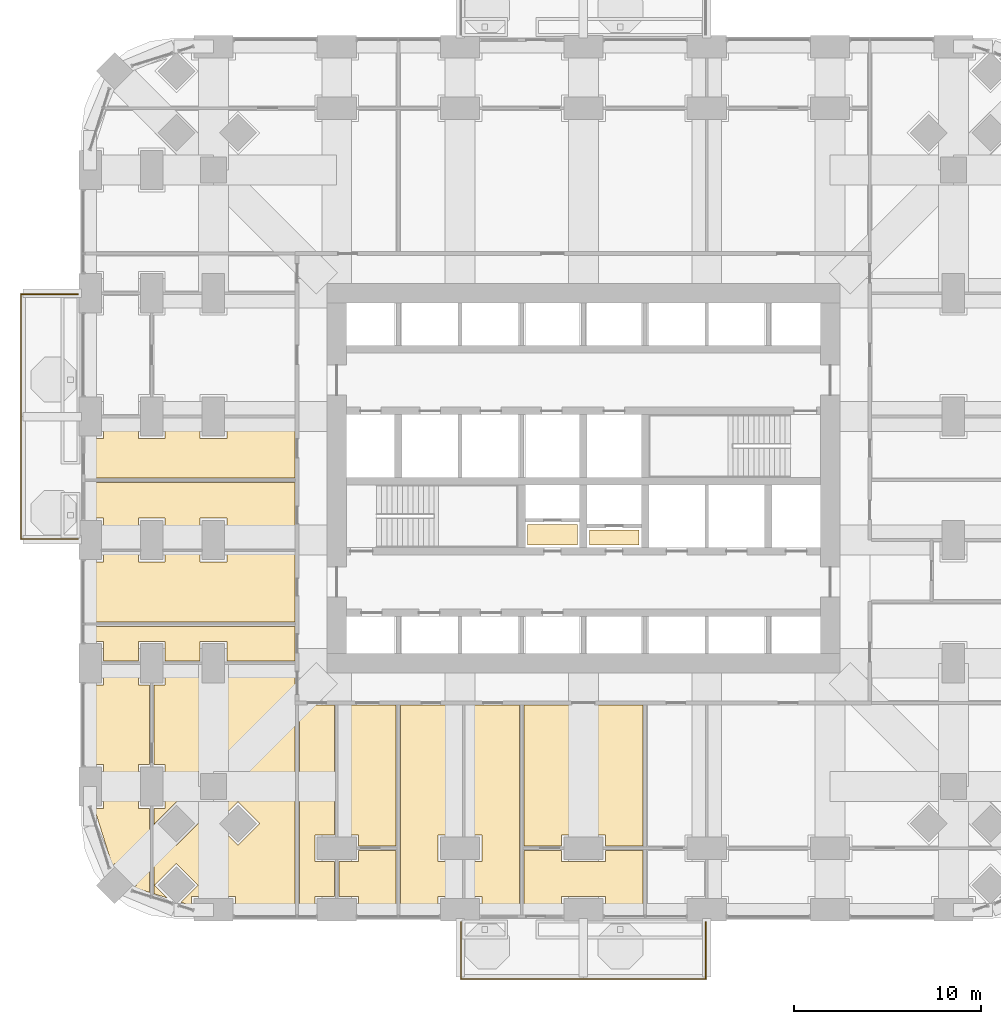
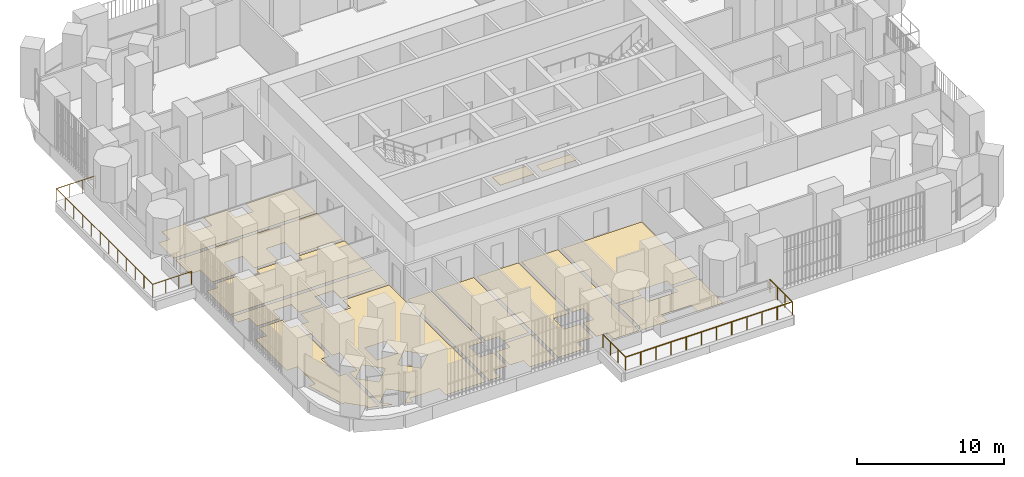
# One storey, part 22 of 26: 15 coverings, 2 railings.
"""IFC4 building model written with IfcOpenShell, lengths in metres."""

import ifcopenshell
import ifcopenshell.guid

model = None  # the IFC model being written
_history = None  # IfcOwnerHistory: only IFC2X3 demands one
_inside = {}  # id of a spatial element -> (the spatial element, [elements in it])
_under = {}  # id of a project, library or spatial element -> (it, [spatial elements below it])
_declared = {}  # id of a project -> (the project, [libraries it declares])
_typed = {}  # id of a type object -> (the type object, [elements of that type])
_made_of = {}  # id of a material, layer set ... -> (it, [elements and type objects made of it])


def new_model(schema):
    """Start an empty IFC model of exactly this schema.

    Asked for "IFC4X3", IfcOpenShell would pick the latest addendum, in which some entities
    have other attributes; the version numbers below select the first issue.
    IFC2X3 requires an IfcOwnerHistory on every rooted entity: one is made here for all.
    """
    global model, _history
    if schema == "IFC4X3":
        model = ifcopenshell.file(schema_version=(4, 3, 0, 0))
    else:
        model = ifcopenshell.file(schema=schema)
    _inside.clear()
    _under.clear()
    _declared.clear()
    _typed.clear()
    _made_of.clear()
    _history = None
    if model.schema == "IFC2X3":
        org = make("IfcOrganization", Name="unknown")
        user = make(
            "IfcPersonAndOrganization",
            ThePerson=make("IfcPerson", FamilyName="unknown"),
            TheOrganization=org,
        )
        app = make(
            "IfcApplication",
            ApplicationDeveloper=org,
            Version="unknown",
            ApplicationFullName="unknown",
            ApplicationIdentifier="unknown",
        )
        _history = make(
            "IfcOwnerHistory",
            OwningUser=user,
            OwningApplication=app,
            ChangeAction="ADDED",
            CreationDate=0,
        )
    return model


def make(cls, **values):
    """One entity of the class cls with the attributes given. An attribute that is None is left unset."""
    return model.create_entity(
        cls, **{name: value for name, value in values.items() if value is not None}
    )


def rooted(cls, **values):
    """An entity with a GlobalId (a new one), such as an element, a storey or a relation."""
    return make(cls, GlobalId=ifcopenshell.guid.new(), OwnerHistory=_history, **values)


def si_unit(unit_type, name, prefix=None):
    """IfcSIUnit, for example si_unit("LENGTHUNIT", "METRE", prefix="MILLI")."""
    return make("IfcSIUnit", UnitType=unit_type, Prefix=prefix, Name=name)


def assignment(units):
    """IfcUnitAssignment: the units of a project."""
    return None if units is None else make("IfcUnitAssignment", Units=units)


def point(xyz):
    """IfcCartesianPoint."""
    return None if xyz is None else make("IfcCartesianPoint", Coordinates=xyz)


def direction(xyz):
    """IfcDirection."""
    return None if xyz is None else make("IfcDirection", DirectionRatios=xyz)


def frame(location, z_axis=None, x_axis=None):
    """IfcAxis2Placement3D, a coordinate frame: its origin and axes. An axis left out is left unset."""
    return make(
        "IfcAxis2Placement3D",
        Location=point(location),
        Axis=direction(z_axis),
        RefDirection=direction(x_axis),
    )


def origin():
    """The frame at (0, 0, 0) with its axes left unset."""
    return frame((0.0, 0.0, 0.0))


def place(relative_to, where):
    """IfcLocalPlacement: puts the frame where relative to a parent placement (None: the world)."""
    return make(
        "IfcLocalPlacement", PlacementRelTo=relative_to, RelativePlacement=where
    )


def context(
    kind, dimensions, precision=None, world=None, true_north=None, identifier=None
):
    """IfcGeometricRepresentationContext, for example the 3D "Model" context."""
    return make(
        "IfcGeometricRepresentationContext",
        ContextIdentifier=identifier,
        ContextType=kind,
        CoordinateSpaceDimension=dimensions,
        Precision=precision,
        WorldCoordinateSystem=world,
        TrueNorth=true_north,
    )


def subcontext(parent, identifier, kind, view, scale=None):
    """IfcGeometricRepresentationSubContext, for example "Body" below "Model"."""
    return make(
        "IfcGeometricRepresentationSubContext",
        ContextIdentifier=identifier,
        ContextType=kind,
        ParentContext=parent,
        TargetScale=scale,
        TargetView=view,
    )


def project(units=None, contexts=None):
    """IfcProject with its units and contexts."""
    return rooted(
        "IfcProject",
        Name="project",
        RepresentationContexts=contexts,
        UnitsInContext=assignment(units),
    )


def spatial(cls, under=None, at=None, **own):
    """A site, building, storey or space (cls), placed at a placement, below another one or the project."""
    s = rooted(cls, ObjectPlacement=at, **own)
    if under is not None:
        _under.setdefault(under.id(), (under, []))[1].append(s)
    return s


def polyline(points):
    """IfcPolyline through the points."""
    return make("IfcPolyline", Points=[point(p) for p in points])


def outline(outer, holes=None, kind="AREA"):
    """IfcArbitraryClosedProfileDef: a profile drawn as a closed curve; with holes, ...WithVoids."""
    if holes is None:
        return make("IfcArbitraryClosedProfileDef", ProfileType=kind, OuterCurve=outer)
    return make(
        "IfcArbitraryProfileDefWithVoids",
        ProfileType=kind,
        OuterCurve=outer,
        InnerCurves=holes,
    )


def extrude(swept, where, along, depth):
    """IfcExtrudedAreaSolid: the profile swept, set in the frame where, extruded along a direction by depth."""
    return make(
        "IfcExtrudedAreaSolid",
        SweptArea=swept,
        Position=where,
        ExtrudedDirection=direction(along),
        Depth=depth,
    )


def shape(context_of_items, identifier, shape_type, items):
    """IfcShapeRepresentation: the items that make up one representation, for example the "Body"."""
    return make(
        "IfcShapeRepresentation",
        ContextOfItems=context_of_items,
        RepresentationIdentifier=identifier,
        RepresentationType=shape_type,
        Items=items,
    )


def material(Name=None, Category=None):
    """IfcMaterial."""
    return make("IfcMaterial", Name=Name, Category=Category)


def layer(
    of_material, thickness, ventilated=None, Name=None, Category=None, Priority=None
):
    """IfcMaterialLayer: one layer of a wall or slab, of a material (None: an air gap)."""
    return make(
        "IfcMaterialLayer",
        Material=of_material,
        LayerThickness=thickness,
        IsVentilated=ventilated,
        Name=Name,
        Category=Category,
        Priority=Priority,
    )


def layer_set(layers, Name=None):
    """IfcMaterialLayerSet."""
    return make("IfcMaterialLayerSet", MaterialLayers=layers, LayerSetName=Name)


def made_of(thing, what):
    """Note that an element or type object is made of a material, layer set ...; save() writes the relation."""
    if what is not None:
        _made_of.setdefault(what.id(), (what, []))[1].append(thing)
    return thing


def type_object(cls, material=None, **own):
    """A type object (cls), such as IfcWallType, which elements share."""
    return made_of(rooted(cls, **own), material)


def element(
    cls,
    number,
    at=None,
    inside=None,
    cuts=None,
    type_object=None,
    material=None,
    context=None,
    identifier="Body",
    shape_type=None,
    held_by="IfcProductDefinitionShape",
    body=None,
    shapes=None,
    **own,
):
    """One element of the class cls, such as IfcWall. Its Tag is "e" and its number.

    at: its placement. inside: the storey or other place that contains it. cuts: it is an
    opening in that element (IfcRelVoidsElement). A single representation is given by context,
    identifier, shape_type and body (its items); several are given by shapes. held_by: the class
    of the entity that holds the representations. save() writes the other relations.
    """
    e = rooted(cls, Tag="e%d" % number, ObjectPlacement=at, **own)
    if body is not None:
        shapes = [shape(context, identifier, shape_type, body)]
    if shapes is not None:
        e.Representation = make(held_by, Representations=shapes)
    if inside is not None:
        _inside.setdefault(inside.id(), (inside, []))[1].append(e)
    if cuts is not None:
        rooted(
            "IfcRelVoidsElement", RelatingBuildingElement=cuts, RelatedOpeningElement=e
        )
    if type_object is not None:
        _typed.setdefault(type_object.id(), (type_object, []))[1].append(e)
    return made_of(e, material)


def aggregate(whole, parts):
    """IfcRelAggregates: a whole, such as a stair, and the parts it consists of."""
    return rooted("IfcRelAggregates", RelatingObject=whole, RelatedObjects=parts)


def save(model, path):
    """Write the relations noted so far, then the file.

    IfcRelAggregates (storeys below a building ...), IfcRelContainedInSpatialStructure (elements
    in a storey), IfcRelDefinesByType, IfcRelAssociatesMaterial and IfcRelDeclares: one each for
    every whole, place, type object, material and project.
    """
    for whole, parts in _under.values():
        aggregate(whole, parts)
    for where, things in _inside.values():
        rooted(
            "IfcRelContainedInSpatialStructure",
            RelatedElements=things,
            RelatingStructure=where,
        )
    for kind, things in _typed.values():
        rooted("IfcRelDefinesByType", RelatedObjects=things, RelatingType=kind)
    for what, things in _made_of.values():
        rooted("IfcRelAssociatesMaterial", RelatedObjects=things, RelatingMaterial=what)
    for by, libraries in _declared.values():
        rooted("IfcRelDeclares", RelatingContext=by, RelatedDefinitions=libraries)
    model.write(path)


model = new_model("IFC4")

# Units and contexts
model_context = context("Model", 3, precision=1e-05, world=origin(), true_north=direction((0.0, 1.0)))
body_context = subcontext(model_context, "Body", "Model", "MODEL_VIEW")
ifc_project = project(units=[si_unit("LENGTHUNIT", "METRE"), si_unit("AREAUNIT", "SQUARE_METRE"), si_unit("VOLUMEUNIT", "CUBIC_METRE"), si_unit("PLANEANGLEUNIT", "RADIAN"), si_unit("MASSUNIT", "GRAM", prefix="KILO")], contexts=[model_context])

# Site, building, storey
site_placement = place(None, origin())
site = spatial("IfcSite", under=ifc_project, at=site_placement, CompositionType="ELEMENT")
building_placement = place(site_placement, origin())
building = spatial("IfcBuilding", under=site, at=building_placement, Name="Cobogo Forest Laboratory Tower", CompositionType="ELEMENT")
storey_placement = place(building_placement, frame((0.0, 0.0, 59.10009765625)))
storey = spatial("IfcBuildingStorey", under=building, at=storey_placement, Name="L13", CompositionType="ELEMENT", Elevation=59.10009765625)

# Railings
ifc_material_1 = material(Name="Laminated glass balustrade", Category="glass")
railing_type = type_object("IfcRailingType", Name="BG1 glass balustrade 1100", PredefinedType="GUARDRAIL", material=ifc_material_1)
railing_1_placement = place(storey_placement, frame((19.85009765625, -0.64990234375, 0.0)))
element("IfcRailing", 1, at=railing_1_placement, inside=storey, type_object=railing_type, Name="Balcony balustrade BAL-S1 L13", PredefinedType="GUARDRAIL", context=body_context, shape_type="SweptSolid", body=[
    extrude(outline(polyline([(0.022216796875, 0.00927734375), (0.00927734375, 0.022216796875), (-0.00927734375, 0.022216796875), (-0.022216796875, 0.00927734375), (-0.022216796875, -0.00927734375), (-0.00927734375, -0.022216796875), (0.00927734375, -0.022216796875), (0.022216796875, -0.00927734375), (0.022216796875, 0.00927734375)])), frame((0.0, 0.0, 1.077880859375), z_axis=(0.0, -1.0, 0.0), x_axis=(1.0, 0.0, 0.0)), (0.0, 0.0, 1.0), 3.050048828125),
    extrude(outline(polyline([(0.022216796875, 0.00927734375), (0.00927734375, 0.022216796875), (-0.00927734375, 0.022216796875), (-0.022216796875, 0.00927734375), (-0.022216796875, -0.00927734375), (-0.00927734375, -0.022216796875), (0.00927734375, -0.022216796875), (0.022216796875, -0.00927734375), (0.022216796875, 0.00927734375)])), frame((0.0, -3.050048828125, 1.077880859375), z_axis=(1.0, 0.0, 0.0), x_axis=(0.0, 1.0, 0.0)), (0.0, 0.0, 1.0), 13.099853515625),
    extrude(outline(polyline([(0.022216796875, 0.00927734375), (0.00927734375, 0.022216796875), (-0.00927734375, 0.022216796875), (-0.022216796875, 0.00927734375), (-0.022216796875, -0.00927734375), (-0.00927734375, -0.022216796875), (0.00927734375, -0.022216796875), (0.022216796875, -0.00927734375), (0.022216796875, 0.00927734375)])), frame((13.099853515625, -3.050048828125, 1.077880859375), z_axis=(0.0, 1.0, 0.0), x_axis=(-1.0, 0.0, 0.0)), (0.0, 0.0, 1.0), 3.050048828125),
    extrude(outline(polyline([(0.019287109375, 0.008056640625), (0.008056640625, 0.019287109375), (-0.008056640625, 0.019287109375), (-0.019287109375, 0.008056640625), (-0.019287109375, -0.008056640625), (-0.008056640625, -0.019287109375), (0.008056640625, -0.019287109375), (0.019287109375, -0.008056640625), (0.019287109375, 0.008056640625)])), origin(), (0.0, 0.0, 1.0), 1.077880859375),
    extrude(outline(polyline([(0.019287109375, 0.008056640625), (0.008056640625, 0.019287109375), (-0.008056640625, 0.019287109375), (-0.019287109375, 0.008056640625), (-0.019287109375, -0.008056640625), (-0.008056640625, -0.019287109375), (0.008056640625, -0.019287109375), (0.019287109375, -0.008056640625), (0.019287109375, 0.008056640625)])), frame((0.0, -1.0166015625, 0.0)), (0.0, 0.0, 1.0), 1.077880859375),
    extrude(outline(polyline([(0.019287109375, 0.008056640625), (0.008056640625, 0.019287109375), (-0.008056640625, 0.019287109375), (-0.019287109375, 0.008056640625), (-0.019287109375, -0.008056640625), (-0.008056640625, -0.019287109375), (0.008056640625, -0.019287109375), (0.019287109375, -0.008056640625), (0.019287109375, 0.008056640625)])), frame((0.0, -2.033447265625, 0.0)), (0.0, 0.0, 1.0), 1.077880859375),
    extrude(outline(polyline([(0.019287109375, 0.008056640625), (0.008056640625, 0.019287109375), (-0.008056640625, 0.019287109375), (-0.019287109375, 0.008056640625), (-0.019287109375, -0.008056640625), (-0.008056640625, -0.019287109375), (0.008056640625, -0.019287109375), (0.019287109375, -0.008056640625), (0.019287109375, 0.008056640625)])), frame((0.0, -3.050048828125, 0.0)), (0.0, 0.0, 1.0), 1.077880859375),
    extrude(outline(polyline([(0.019287109375, 0.008056640625), (0.008056640625, 0.019287109375), (-0.008056640625, 0.019287109375), (-0.019287109375, 0.008056640625), (-0.019287109375, -0.008056640625), (-0.008056640625, -0.019287109375), (0.008056640625, -0.019287109375), (0.019287109375, -0.008056640625), (0.019287109375, 0.008056640625)])), frame((1.19091796875, -3.050048828125, 0.0)), (0.0, 0.0, 1.0), 1.077880859375),
    extrude(outline(polyline([(0.019287109375, 0.008056640625), (0.008056640625, 0.019287109375), (-0.008056640625, 0.019287109375), (-0.019287109375, 0.008056640625), (-0.019287109375, -0.008056640625), (-0.008056640625, -0.019287109375), (0.008056640625, -0.019287109375), (0.019287109375, -0.008056640625), (0.019287109375, 0.008056640625)])), frame((2.3818359375, -3.050048828125, 0.0)), (0.0, 0.0, 1.0), 1.077880859375),
    extrude(outline(polyline([(0.019287109375, 0.008056640625), (0.008056640625, 0.019287109375), (-0.008056640625, 0.019287109375), (-0.019287109375, 0.008056640625), (-0.019287109375, -0.008056640625), (-0.008056640625, -0.019287109375), (0.008056640625, -0.019287109375), (0.019287109375, -0.008056640625), (0.019287109375, 0.008056640625)])), frame((3.57275390625, -3.050048828125, 0.0)), (0.0, 0.0, 1.0), 1.077880859375),
    extrude(outline(polyline([(0.019287109375, 0.008056640625), (0.008056640625, 0.019287109375), (-0.008056640625, 0.019287109375), (-0.019287109375, 0.008056640625), (-0.019287109375, -0.008056640625), (-0.008056640625, -0.019287109375), (0.008056640625, -0.019287109375), (0.019287109375, -0.008056640625), (0.019287109375, 0.008056640625)])), frame((4.763671875, -3.050048828125, 0.0)), (0.0, 0.0, 1.0), 1.077880859375),
    extrude(outline(polyline([(0.019287109375, 0.008056640625), (0.008056640625, 0.019287109375), (-0.008056640625, 0.019287109375), (-0.019287109375, 0.008056640625), (-0.019287109375, -0.008056640625), (-0.008056640625, -0.019287109375), (0.008056640625, -0.019287109375), (0.019287109375, -0.008056640625), (0.019287109375, 0.008056640625)])), frame((5.95458984375, -3.050048828125, 0.0)), (0.0, 0.0, 1.0), 1.077880859375),
    extrude(outline(polyline([(0.019287109375, 0.008056640625), (0.008056640625, 0.019287109375), (-0.008056640625, 0.019287109375), (-0.019287109375, 0.008056640625), (-0.019287109375, -0.008056640625), (-0.008056640625, -0.019287109375), (0.008056640625, -0.019287109375), (0.019287109375, -0.008056640625), (0.019287109375, 0.008056640625)])), frame((7.145263671875, -3.050048828125, 0.0)), (0.0, 0.0, 1.0), 1.077880859375),
    extrude(outline(polyline([(0.019287109375, 0.008056640625), (0.008056640625, 0.019287109375), (-0.008056640625, 0.019287109375), (-0.019287109375, 0.008056640625), (-0.019287109375, -0.008056640625), (-0.008056640625, -0.019287109375), (0.008056640625, -0.019287109375), (0.019287109375, -0.008056640625), (0.019287109375, 0.008056640625)])), frame((8.336181640625, -3.050048828125, 0.0)), (0.0, 0.0, 1.0), 1.077880859375),
    extrude(outline(polyline([(0.019287109375, 0.008056640625), (0.008056640625, 0.019287109375), (-0.008056640625, 0.019287109375), (-0.019287109375, 0.008056640625), (-0.019287109375, -0.008056640625), (-0.008056640625, -0.019287109375), (0.008056640625, -0.019287109375), (0.019287109375, -0.008056640625), (0.019287109375, 0.008056640625)])), frame((9.527099609375, -3.050048828125, 0.0)), (0.0, 0.0, 1.0), 1.077880859375),
    extrude(outline(polyline([(0.019287109375, 0.008056640625), (0.008056640625, 0.019287109375), (-0.008056640625, 0.019287109375), (-0.019287109375, 0.008056640625), (-0.019287109375, -0.008056640625), (-0.008056640625, -0.019287109375), (0.008056640625, -0.019287109375), (0.019287109375, -0.008056640625), (0.019287109375, 0.008056640625)])), frame((10.718017578125, -3.050048828125, 0.0)), (0.0, 0.0, 1.0), 1.077880859375),
    extrude(outline(polyline([(0.019287109375, 0.008056640625), (0.008056640625, 0.019287109375), (-0.008056640625, 0.019287109375), (-0.019287109375, 0.008056640625), (-0.019287109375, -0.008056640625), (-0.008056640625, -0.019287109375), (0.008056640625, -0.019287109375), (0.019287109375, -0.008056640625), (0.019287109375, 0.008056640625)])), frame((11.908935546875, -3.050048828125, 0.0)), (0.0, 0.0, 1.0), 1.077880859375),
    extrude(outline(polyline([(0.019287109375, 0.008056640625), (0.008056640625, 0.019287109375), (-0.008056640625, 0.019287109375), (-0.019287109375, 0.008056640625), (-0.019287109375, -0.008056640625), (-0.008056640625, -0.019287109375), (0.008056640625, -0.019287109375), (0.019287109375, -0.008056640625), (0.019287109375, 0.008056640625)])), frame((13.099853515625, -3.050048828125, 0.0)), (0.0, 0.0, 1.0), 1.077880859375),
    extrude(outline(polyline([(0.019287109375, 0.008056640625), (0.008056640625, 0.019287109375), (-0.008056640625, 0.019287109375), (-0.019287109375, 0.008056640625), (-0.019287109375, -0.008056640625), (-0.008056640625, -0.019287109375), (0.008056640625, -0.019287109375), (0.019287109375, -0.008056640625), (0.019287109375, 0.008056640625)])), frame((13.099853515625, -2.033447265625, 0.0)), (0.0, 0.0, 1.0), 1.077880859375),
    extrude(outline(polyline([(0.019287109375, 0.008056640625), (0.008056640625, 0.019287109375), (-0.008056640625, 0.019287109375), (-0.019287109375, 0.008056640625), (-0.019287109375, -0.008056640625), (-0.008056640625, -0.019287109375), (0.008056640625, -0.019287109375), (0.019287109375, -0.008056640625), (0.019287109375, 0.008056640625)])), frame((13.099853515625, -1.0166015625, 0.0)), (0.0, 0.0, 1.0), 1.077880859375),
    extrude(outline(polyline([(0.019287109375, 0.008056640625), (0.008056640625, 0.019287109375), (-0.008056640625, 0.019287109375), (-0.019287109375, 0.008056640625), (-0.019287109375, -0.008056640625), (-0.008056640625, -0.019287109375), (0.008056640625, -0.019287109375), (0.019287109375, -0.008056640625), (0.019287109375, 0.008056640625)])), frame((13.099853515625, 0.0, 0.0)), (0.0, 0.0, 1.0), 1.077880859375),
])
railing_2_placement = place(storey_placement, frame((-0.64990234375, 19.85009765625, 0.0)))
element("IfcRailing", 2, at=railing_2_placement, inside=storey, type_object=railing_type, Name="Balcony balustrade BAL-W1 L13", PredefinedType="GUARDRAIL", context=body_context, shape_type="SweptSolid", body=[
    extrude(outline(polyline([(0.022216796875, 0.00927734375), (0.00927734375, 0.022216796875), (-0.00927734375, 0.022216796875), (-0.022216796875, 0.00927734375), (-0.022216796875, -0.00927734375), (-0.00927734375, -0.022216796875), (0.00927734375, -0.022216796875), (0.022216796875, -0.00927734375), (0.022216796875, 0.00927734375)])), frame((0.0, 0.0, 1.077880859375), z_axis=(-1.0, 0.0, 0.0), x_axis=(0.0, -1.0, 0.0)), (0.0, 0.0, 1.0), 3.050048828125),
    extrude(outline(polyline([(0.022216796875, 0.00927734375), (0.00927734375, 0.022216796875), (-0.00927734375, 0.022216796875), (-0.022216796875, 0.00927734375), (-0.022216796875, -0.00927734375), (-0.00927734375, -0.022216796875), (0.00927734375, -0.022216796875), (0.022216796875, -0.00927734375), (0.022216796875, 0.00927734375)])), frame((-3.050048828125, 0.0, 1.077880859375), z_axis=(0.0, 1.0, 0.0), x_axis=(-1.0, 0.0, 0.0)), (0.0, 0.0, 1.0), 13.099853515625),
    extrude(outline(polyline([(0.022216796875, 0.00927734375), (0.00927734375, 0.022216796875), (-0.00927734375, 0.022216796875), (-0.022216796875, 0.00927734375), (-0.022216796875, -0.00927734375), (-0.00927734375, -0.022216796875), (0.00927734375, -0.022216796875), (0.022216796875, -0.00927734375), (0.022216796875, 0.00927734375)])), frame((-3.050048828125, 13.099853515625, 1.077880859375), z_axis=(1.0, 0.0, 0.0), x_axis=(0.0, 1.0, 0.0)), (0.0, 0.0, 1.0), 3.050048828125),
    extrude(outline(polyline([(0.019287109375, 0.008056640625), (0.008056640625, 0.019287109375), (-0.008056640625, 0.019287109375), (-0.019287109375, 0.008056640625), (-0.019287109375, -0.008056640625), (-0.008056640625, -0.019287109375), (0.008056640625, -0.019287109375), (0.019287109375, -0.008056640625), (0.019287109375, 0.008056640625)])), origin(), (0.0, 0.0, 1.0), 1.077880859375),
    extrude(outline(polyline([(0.019287109375, 0.008056640625), (0.008056640625, 0.019287109375), (-0.008056640625, 0.019287109375), (-0.019287109375, 0.008056640625), (-0.019287109375, -0.008056640625), (-0.008056640625, -0.019287109375), (0.008056640625, -0.019287109375), (0.019287109375, -0.008056640625), (0.019287109375, 0.008056640625)])), frame((-1.0166015625, 0.0, 0.0)), (0.0, 0.0, 1.0), 1.077880859375),
    extrude(outline(polyline([(0.019287109375, 0.008056640625), (0.008056640625, 0.019287109375), (-0.008056640625, 0.019287109375), (-0.019287109375, 0.008056640625), (-0.019287109375, -0.008056640625), (-0.008056640625, -0.019287109375), (0.008056640625, -0.019287109375), (0.019287109375, -0.008056640625), (0.019287109375, 0.008056640625)])), frame((-2.033447265625, 0.0, 0.0)), (0.0, 0.0, 1.0), 1.077880859375),
    extrude(outline(polyline([(0.019287109375, 0.008056640625), (0.008056640625, 0.019287109375), (-0.008056640625, 0.019287109375), (-0.019287109375, 0.008056640625), (-0.019287109375, -0.008056640625), (-0.008056640625, -0.019287109375), (0.008056640625, -0.019287109375), (0.019287109375, -0.008056640625), (0.019287109375, 0.008056640625)])), frame((-3.050048828125, 0.0, 0.0)), (0.0, 0.0, 1.0), 1.077880859375),
    extrude(outline(polyline([(0.019287109375, 0.008056640625), (0.008056640625, 0.019287109375), (-0.008056640625, 0.019287109375), (-0.019287109375, 0.008056640625), (-0.019287109375, -0.008056640625), (-0.008056640625, -0.019287109375), (0.008056640625, -0.019287109375), (0.019287109375, -0.008056640625), (0.019287109375, 0.008056640625)])), frame((-3.050048828125, 1.19091796875, 0.0)), (0.0, 0.0, 1.0), 1.077880859375),
    extrude(outline(polyline([(0.019287109375, 0.008056640625), (0.008056640625, 0.019287109375), (-0.008056640625, 0.019287109375), (-0.019287109375, 0.008056640625), (-0.019287109375, -0.008056640625), (-0.008056640625, -0.019287109375), (0.008056640625, -0.019287109375), (0.019287109375, -0.008056640625), (0.019287109375, 0.008056640625)])), frame((-3.050048828125, 2.3818359375, 0.0)), (0.0, 0.0, 1.0), 1.077880859375),
    extrude(outline(polyline([(0.019287109375, 0.008056640625), (0.008056640625, 0.019287109375), (-0.008056640625, 0.019287109375), (-0.019287109375, 0.008056640625), (-0.019287109375, -0.008056640625), (-0.008056640625, -0.019287109375), (0.008056640625, -0.019287109375), (0.019287109375, -0.008056640625), (0.019287109375, 0.008056640625)])), frame((-3.050048828125, 3.57275390625, 0.0)), (0.0, 0.0, 1.0), 1.077880859375),
    extrude(outline(polyline([(0.019287109375, 0.008056640625), (0.008056640625, 0.019287109375), (-0.008056640625, 0.019287109375), (-0.019287109375, 0.008056640625), (-0.019287109375, -0.008056640625), (-0.008056640625, -0.019287109375), (0.008056640625, -0.019287109375), (0.019287109375, -0.008056640625), (0.019287109375, 0.008056640625)])), frame((-3.050048828125, 4.763671875, 0.0)), (0.0, 0.0, 1.0), 1.077880859375),
    extrude(outline(polyline([(0.019287109375, 0.008056640625), (0.008056640625, 0.019287109375), (-0.008056640625, 0.019287109375), (-0.019287109375, 0.008056640625), (-0.019287109375, -0.008056640625), (-0.008056640625, -0.019287109375), (0.008056640625, -0.019287109375), (0.019287109375, -0.008056640625), (0.019287109375, 0.008056640625)])), frame((-3.050048828125, 5.95458984375, 0.0)), (0.0, 0.0, 1.0), 1.077880859375),
    extrude(outline(polyline([(0.019287109375, 0.008056640625), (0.008056640625, 0.019287109375), (-0.008056640625, 0.019287109375), (-0.019287109375, 0.008056640625), (-0.019287109375, -0.008056640625), (-0.008056640625, -0.019287109375), (0.008056640625, -0.019287109375), (0.019287109375, -0.008056640625), (0.019287109375, 0.008056640625)])), frame((-3.050048828125, 7.145263671875, 0.0)), (0.0, 0.0, 1.0), 1.077880859375),
    extrude(outline(polyline([(0.019287109375, 0.008056640625), (0.008056640625, 0.019287109375), (-0.008056640625, 0.019287109375), (-0.019287109375, 0.008056640625), (-0.019287109375, -0.008056640625), (-0.008056640625, -0.019287109375), (0.008056640625, -0.019287109375), (0.019287109375, -0.008056640625), (0.019287109375, 0.008056640625)])), frame((-3.050048828125, 8.336181640625, 0.0)), (0.0, 0.0, 1.0), 1.077880859375),
    extrude(outline(polyline([(0.019287109375, 0.008056640625), (0.008056640625, 0.019287109375), (-0.008056640625, 0.019287109375), (-0.019287109375, 0.008056640625), (-0.019287109375, -0.008056640625), (-0.008056640625, -0.019287109375), (0.008056640625, -0.019287109375), (0.019287109375, -0.008056640625), (0.019287109375, 0.008056640625)])), frame((-3.050048828125, 9.527099609375, 0.0)), (0.0, 0.0, 1.0), 1.077880859375),
    extrude(outline(polyline([(0.019287109375, 0.008056640625), (0.008056640625, 0.019287109375), (-0.008056640625, 0.019287109375), (-0.019287109375, 0.008056640625), (-0.019287109375, -0.008056640625), (-0.008056640625, -0.019287109375), (0.008056640625, -0.019287109375), (0.019287109375, -0.008056640625), (0.019287109375, 0.008056640625)])), frame((-3.050048828125, 10.718017578125, 0.0)), (0.0, 0.0, 1.0), 1.077880859375),
    extrude(outline(polyline([(0.019287109375, 0.008056640625), (0.008056640625, 0.019287109375), (-0.008056640625, 0.019287109375), (-0.019287109375, 0.008056640625), (-0.019287109375, -0.008056640625), (-0.008056640625, -0.019287109375), (0.008056640625, -0.019287109375), (0.019287109375, -0.008056640625), (0.019287109375, 0.008056640625)])), frame((-3.050048828125, 11.908935546875, 0.0)), (0.0, 0.0, 1.0), 1.077880859375),
    extrude(outline(polyline([(0.019287109375, 0.008056640625), (0.008056640625, 0.019287109375), (-0.008056640625, 0.019287109375), (-0.019287109375, 0.008056640625), (-0.019287109375, -0.008056640625), (-0.008056640625, -0.019287109375), (0.008056640625, -0.019287109375), (0.019287109375, -0.008056640625), (0.019287109375, 0.008056640625)])), frame((-3.050048828125, 13.099853515625, 0.0)), (0.0, 0.0, 1.0), 1.077880859375),
    extrude(outline(polyline([(0.019287109375, 0.008056640625), (0.008056640625, 0.019287109375), (-0.008056640625, 0.019287109375), (-0.019287109375, 0.008056640625), (-0.019287109375, -0.008056640625), (-0.008056640625, -0.019287109375), (0.008056640625, -0.019287109375), (0.019287109375, -0.008056640625), (0.019287109375, 0.008056640625)])), frame((-2.033447265625, 13.099853515625, 0.0)), (0.0, 0.0, 1.0), 1.077880859375),
    extrude(outline(polyline([(0.019287109375, 0.008056640625), (0.008056640625, 0.019287109375), (-0.008056640625, 0.019287109375), (-0.019287109375, 0.008056640625), (-0.019287109375, -0.008056640625), (-0.008056640625, -0.019287109375), (0.008056640625, -0.019287109375), (0.019287109375, -0.008056640625), (0.019287109375, 0.008056640625)])), frame((-1.0166015625, 13.099853515625, 0.0)), (0.0, 0.0, 1.0), 1.077880859375),
    extrude(outline(polyline([(0.019287109375, 0.008056640625), (0.008056640625, 0.019287109375), (-0.008056640625, 0.019287109375), (-0.019287109375, 0.008056640625), (-0.019287109375, -0.008056640625), (-0.008056640625, -0.019287109375), (0.008056640625, -0.019287109375), (0.019287109375, -0.008056640625), (0.019287109375, 0.008056640625)])), frame((0.0, 13.099853515625, 0.0)), (0.0, 0.0, 1.0), 1.077880859375),
])

# Coverings
ifc_material_2 = material(Name="Carpet tile on raised access floor", Category="flooring")
ifc_layer_1 = layer(ifc_material_2, 0.008056640625)
ifc_layer_set_1 = layer_set([ifc_layer_1], Name="CT1 carpet tile floor 8")
covering_type_1 = type_object("IfcCoveringType", Name="CT1 carpet tile floor 8", PredefinedType="FLOORING", material=ifc_layer_set_1)
covering_1_placement = place(storey_placement, origin())
element("IfcCovering", 3, at=covering_1_placement, inside=storey, type_object=covering_type_1, Name="Carpet floor L13-01", PredefinedType="FLOORING", context=body_context, shape_type="SweptSolid", body=[
    extrude(outline(polyline([(13.080078125, 10.955078125), (13.080078125, 4.02001953125), (12.030029296875, 4.02001953125), (12.030029296875, 2.580078125), (13.080078125, 2.580078125), (13.080078125, 0.719970703125), (12.030029296875, 0.719970703125), (12.030029296875, -0.14990234375), (11.195068359375, -0.14990234375), (11.195068359375, 10.955078125), (13.080078125, 10.955078125)])), origin(), (0.0, 0.0, 1.0), 0.0078125),
])
covering_2_placement = place(storey_placement, origin())
element("IfcCovering", 4, at=covering_2_placement, inside=storey, type_object=covering_type_1, Name="Carpet floor L13-03", PredefinedType="FLOORING", context=body_context, shape_type="SweptSolid", body=[
    extrude(outline(polyline([(16.3798828125, 3.179931640625), (16.3798828125, -0.14990234375), (14.3701171875, -0.14990234375), (14.3701171875, 0.719970703125), (13.320068359375, 0.719970703125), (13.320068359375, 2.580078125), (14.3701171875, 2.580078125), (14.3701171875, 3.179931640625), (16.3798828125, 3.179931640625)])), origin(), (0.0, 0.0, 1.0), 0.0078125),
])
covering_3_placement = place(storey_placement, origin())
element("IfcCovering", 5, at=covering_3_placement, inside=storey, type_object=covering_type_1, Name="Carpet floor L13-04", PredefinedType="FLOORING", context=body_context, shape_type="SweptSolid", body=[
    extrude(outline(polyline([(19.8798828125, 10.955078125), (19.8798828125, 4.02001953125), (18.6298828125, 4.02001953125), (18.6298828125, 2.580078125), (19.8798828125, 2.580078125), (19.8798828125, 0.719970703125), (18.6298828125, 0.719970703125), (18.6298828125, -0.14990234375), (16.6201171875, -0.14990234375), (16.6201171875, 10.955078125), (19.8798828125, 10.955078125)])), origin(), (0.0, 0.0, 1.0), 0.0078125),
])
covering_4_placement = place(storey_placement, origin())
element("IfcCovering", 6, at=covering_4_placement, inside=storey, type_object=covering_type_1, Name="Carpet floor L13-07", PredefinedType="FLOORING", context=body_context, shape_type="SweptSolid", body=[
    extrude(outline(polyline([(25.22998046875, 3.179931640625), (25.22998046875, 2.580078125), (27.570068359375, 2.580078125), (27.570068359375, 3.179931640625), (29.580078125, 3.179931640625), (29.580078125, -0.14990234375), (27.570068359375, -0.14990234375), (27.570068359375, 0.719970703125), (25.22998046875, 0.719970703125), (25.22998046875, -0.14990234375), (23.219970703125, -0.14990234375), (23.219970703125, 3.179931640625), (25.22998046875, 3.179931640625)])), origin(), (0.0, 0.0, 1.0), 0.0078125),
])
covering_5_placement = place(storey_placement, origin())
element("IfcCovering", 7, at=covering_5_placement, inside=storey, type_object=covering_type_1, Name="Carpet floor L13-29", PredefinedType="FLOORING", context=body_context, shape_type="SweptSolid", body=[
    extrude(outline(polyline([(3.179931640625, 7.77001953125), (2.580078125, 7.77001953125), (2.580078125, 5.429931640625), (3.179931640625, 5.429931640625), (3.179931640625, 0.939697265625), (2.358642578125, 1.19921875), (2.477783203125, 1.318115234375), (1.318115234375, 2.477783203125), (1.19921875, 2.358642578125), (0.229248046875, 5.429931640625), (0.719970703125, 5.429931640625), (0.719970703125, 7.77001953125), (-0.14990234375, 7.77001953125), (-0.14990234375, 12.030029296875), (0.719970703125, 12.030029296875), (0.719970703125, 13.080078125), (2.580078125, 13.080078125), (2.580078125, 12.030029296875), (3.179931640625, 12.030029296875), (3.179931640625, 7.77001953125)])), origin(), (0.0, 0.0, 1.0), 0.0078125),
])
covering_6_placement = place(storey_placement, origin())
element("IfcCovering", 8, at=covering_6_placement, inside=storey, type_object=covering_type_1, Name="Carpet floor L13-42", PredefinedType="FLOORING", context=body_context, shape_type="SweptSolid", body=[
    extrude(outline(polyline([(26.080078125, 19.52001953125), (23.419921875, 19.52001953125), (23.419921875, 20.6298828125), (26.080078125, 20.6298828125), (26.080078125, 19.52001953125)])), origin(), (0.0, 0.0, 1.0), 0.0078125),
])
covering_7_placement = place(storey_placement, origin())
element("IfcCovering", 9, at=covering_7_placement, inside=storey, type_object=covering_type_1, Name="Carpet floor L13-44", PredefinedType="FLOORING", context=body_context, shape_type="SweptSolid", body=[
    extrude(outline(polyline([(29.3798828125, 19.52001953125), (26.719970703125, 19.52001953125), (26.719970703125, 20.330078125), (29.3798828125, 20.330078125), (29.3798828125, 19.52001953125)])), origin(), (0.0, 0.0, 1.0), 0.0078125),
])
ifc_material_3 = material(Name="Epoxy resin flooring", Category="flooring")
ifc_layer_2 = layer(ifc_material_3, 0.00390625)
ifc_layer_set_2 = layer_set([ifc_layer_2], Name="LF1 epoxy laboratory floor 4")
covering_type_2 = type_object("IfcCoveringType", Name="LF1 epoxy laboratory floor 4", PredefinedType="FLOORING", material=ifc_layer_set_2)
covering_8_placement = place(storey_placement, origin())
element("IfcCovering", 10, at=covering_8_placement, inside=storey, type_object=covering_type_2, Name="Epoxy laboratory floor L13-02", PredefinedType="FLOORING", context=body_context, shape_type="SweptSolid", body=[
    extrude(outline(polyline([(13.320068359375, 10.955078125), (16.3798828125, 10.955078125), (16.3798828125, 3.419921875), (14.3701171875, 3.419921875), (14.3701171875, 4.02001953125), (13.320068359375, 4.02001953125), (13.320068359375, 10.955078125)])), origin(), (0.0, 0.0, 1.0), 0.00390625),
])
covering_9_placement = place(storey_placement, origin())
element("IfcCovering", 11, at=covering_9_placement, inside=storey, type_object=covering_type_2, Name="Epoxy laboratory floor L13-06", PredefinedType="FLOORING", context=body_context, shape_type="SweptSolid", body=[
    extrude(outline(polyline([(23.219970703125, 10.955078125), (29.580078125, 10.955078125), (29.580078125, 3.419921875), (27.570068359375, 3.419921875), (27.570068359375, 4.02001953125), (25.22998046875, 4.02001953125), (25.22998046875, 3.419921875), (23.219970703125, 3.419921875), (23.219970703125, 10.955078125)])), origin(), (0.0, 0.0, 1.0), 0.00390625),
])
covering_10_placement = place(storey_placement, origin())
element("IfcCovering", 12, at=covering_10_placement, inside=storey, type_object=covering_type_2, Name="Epoxy laboratory floor L13-28", PredefinedType="FLOORING", context=body_context, shape_type="SweptSolid", body=[
    extrude(outline(polyline([(5.8798828125, 13.080078125), (5.8798828125, 12.030029296875), (7.320068359375, 12.030029296875), (7.320068359375, 13.080078125), (10.955078125, 13.080078125), (10.955078125, -0.14990234375), (7.77001953125, -0.14990234375), (7.77001953125, 0.719970703125), (5.429931640625, 0.719970703125), (5.429931640625, 0.229248046875), (4.86669921875, 0.406982421875), (5.777587890625, 1.318115234375), (4.617919921875, 2.477783203125), (3.458251953125, 1.318115234375), (4.1396484375, 0.63671875), (3.419921875, 0.864013671875), (3.419921875, 5.429931640625), (4.02001953125, 5.429931640625), (4.02001953125, 7.77001953125), (3.419921875, 7.77001953125), (3.419921875, 12.030029296875), (4.02001953125, 12.030029296875), (4.02001953125, 13.080078125), (5.8798828125, 13.080078125)]), holes=[polyline([(7.91796875, 5.777587890625), (6.75830078125, 4.617919921875), (7.91796875, 3.458251953125), (9.07763671875, 4.617919921875), (7.91796875, 5.777587890625)]), polyline([(5.780029296875, 7.419921875), (5.780029296875, 5.780029296875), (7.419921875, 5.780029296875), (7.419921875, 7.419921875), (5.780029296875, 7.419921875)]), polyline([(3.458251953125, 4.617919921875), (4.617919921875, 3.458251953125), (5.777587890625, 4.617919921875), (4.617919921875, 5.777587890625), (3.458251953125, 4.617919921875)])]), origin(), (0.0, 0.0, 1.0), 0.00390625),
])
ifc_material_4 = material(Name="Ceramic floor tile", Category="flooring")
ifc_layer_3 = layer(ifc_material_4, 0.010009765625)
ifc_layer_set_3 = layer_set([ifc_layer_3], Name="TF1 ceramic tile floor 10")
covering_type_3 = type_object("IfcCoveringType", Name="TF1 ceramic tile floor 10", PredefinedType="FLOORING", material=ifc_layer_set_3)
covering_11_placement = place(storey_placement, origin())
element("IfcCovering", 13, at=covering_11_placement, inside=storey, type_object=covering_type_3, Name="Tile floor L13-05", PredefinedType="FLOORING", context=body_context, shape_type="SweptSolid", body=[
    extrude(outline(polyline([(22.97998046875, 10.955078125), (22.97998046875, -0.14990234375), (20.969970703125, -0.14990234375), (20.969970703125, 0.719970703125), (20.1201171875, 0.719970703125), (20.1201171875, 2.580078125), (20.969970703125, 2.580078125), (20.969970703125, 4.02001953125), (20.1201171875, 4.02001953125), (20.1201171875, 10.955078125), (22.97998046875, 10.955078125)])), origin(), (0.0, 0.0, 1.0), 0.010009765625),
])
covering_12_placement = place(storey_placement, origin())
element("IfcCovering", 14, at=covering_12_placement, inside=storey, type_object=covering_type_3, Name="Tile floor L13-30", PredefinedType="FLOORING", context=body_context, shape_type="SweptSolid", body=[
    extrude(outline(polyline([(10.955078125, 13.320068359375), (7.320068359375, 13.320068359375), (7.320068359375, 14.3701171875), (5.8798828125, 14.3701171875), (5.8798828125, 13.320068359375), (4.02001953125, 13.320068359375), (4.02001953125, 14.3701171875), (2.580078125, 14.3701171875), (2.580078125, 13.320068359375), (0.719970703125, 13.320068359375), (0.719970703125, 14.3701171875), (-0.14990234375, 14.3701171875), (-0.14990234375, 15.179931640625), (10.955078125, 15.179931640625), (10.955078125, 13.320068359375)])), origin(), (0.0, 0.0, 1.0), 0.010009765625),
])
covering_13_placement = place(storey_placement, origin())
element("IfcCovering", 15, at=covering_13_placement, inside=storey, type_object=covering_type_3, Name="Tile floor L13-31", PredefinedType="FLOORING", context=body_context, shape_type="SweptSolid", body=[
    extrude(outline(polyline([(10.955078125, 15.419921875), (-0.14990234375, 15.419921875), (-0.14990234375, 18.6298828125), (0.719970703125, 18.6298828125), (0.719970703125, 19.1298828125), (2.580078125, 19.1298828125), (2.580078125, 18.6298828125), (4.02001953125, 18.6298828125), (4.02001953125, 19.1298828125), (5.8798828125, 19.1298828125), (5.8798828125, 18.6298828125), (7.320068359375, 18.6298828125), (7.320068359375, 19.1298828125), (10.955078125, 19.1298828125), (10.955078125, 15.419921875)])), origin(), (0.0, 0.0, 1.0), 0.010009765625),
])
covering_14_placement = place(storey_placement, origin())
element("IfcCovering", 16, at=covering_14_placement, inside=storey, type_object=covering_type_3, Name="Tile floor L13-32", PredefinedType="FLOORING", context=body_context, shape_type="SweptSolid", body=[
    extrude(outline(polyline([(10.955078125, 19.3701171875), (7.320068359375, 19.3701171875), (7.320068359375, 20.969970703125), (5.8798828125, 20.969970703125), (5.8798828125, 19.3701171875), (4.02001953125, 19.3701171875), (4.02001953125, 20.969970703125), (2.580078125, 20.969970703125), (2.580078125, 19.3701171875), (0.719970703125, 19.3701171875), (0.719970703125, 20.969970703125), (-0.14990234375, 20.969970703125), (-0.14990234375, 22.8798828125), (10.955078125, 22.8798828125), (10.955078125, 19.3701171875)])), origin(), (0.0, 0.0, 1.0), 0.010009765625),
])
covering_15_placement = place(storey_placement, origin())
element("IfcCovering", 17, at=covering_15_placement, inside=storey, type_object=covering_type_3, Name="Tile floor L13-33", PredefinedType="FLOORING", context=body_context, shape_type="SweptSolid", body=[
    extrude(outline(polyline([(10.955078125, 23.1201171875), (-0.14990234375, 23.1201171875), (-0.14990234375, 25.22998046875), (0.719970703125, 25.22998046875), (0.719970703125, 26.280029296875), (2.580078125, 26.280029296875), (2.580078125, 25.22998046875), (4.02001953125, 25.22998046875), (4.02001953125, 26.280029296875), (5.8798828125, 26.280029296875), (5.8798828125, 25.22998046875), (7.320068359375, 25.22998046875), (7.320068359375, 26.280029296875), (10.955078125, 26.280029296875), (10.955078125, 23.1201171875)])), origin(), (0.0, 0.0, 1.0), 0.010009765625),
])

save(model, "model.ifc")
